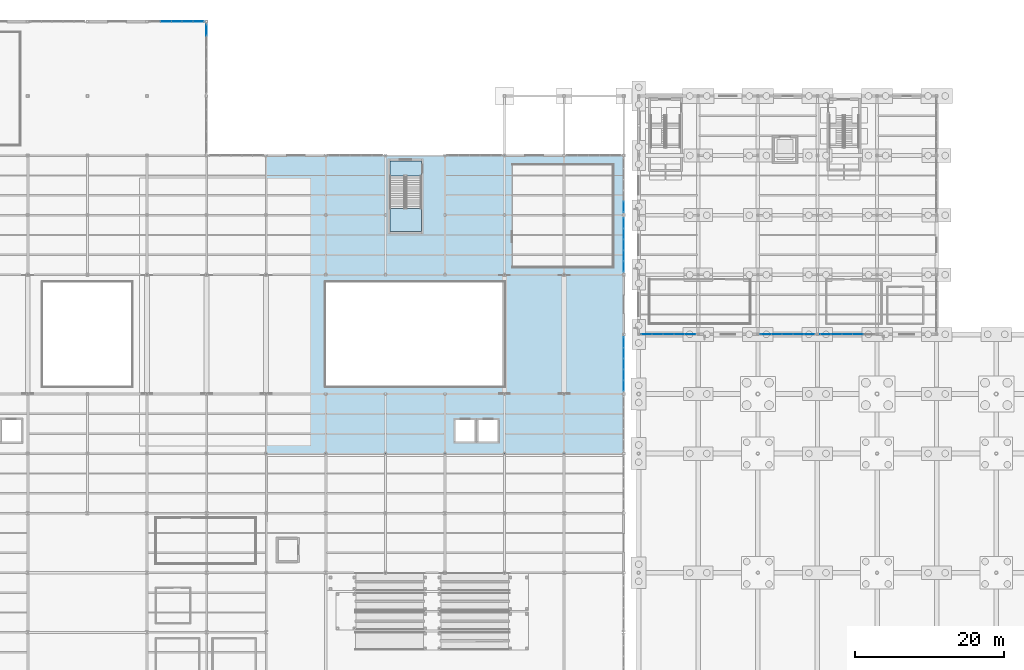
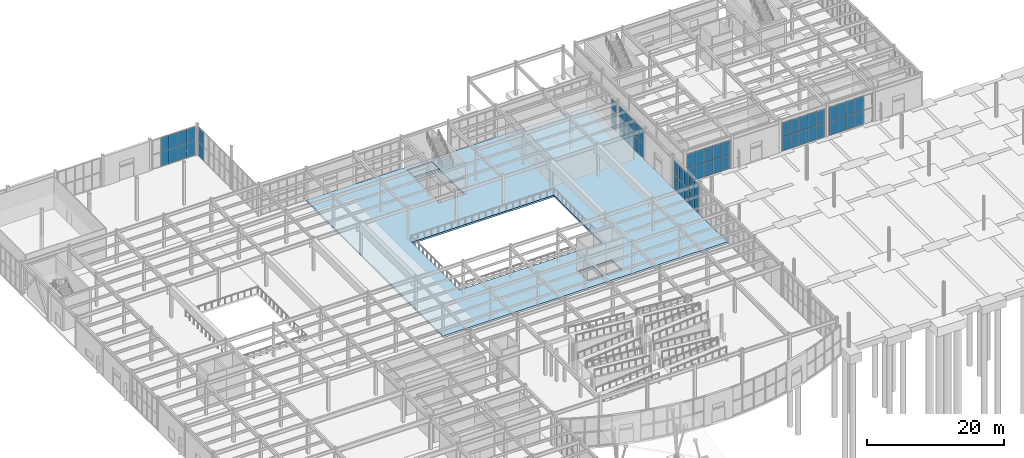
# One storey, part 53 of 82: 60 plates, 3 slabs, 9 elements without a shape of their own.
"""IFC4 building model written with IfcOpenShell, lengths in metres."""

import ifcopenshell
import ifcopenshell.guid

model = None  # the IFC model being written
_history = None  # IfcOwnerHistory: only IFC2X3 demands one
_inside = {}  # id of a spatial element -> (the spatial element, [elements in it])
_under = {}  # id of a project, library or spatial element -> (it, [spatial elements below it])
_declared = {}  # id of a project -> (the project, [libraries it declares])
_typed = {}  # id of a type object -> (the type object, [elements of that type])
_made_of = {}  # id of a material, layer set ... -> (it, [elements and type objects made of it])


def new_model(schema):
    """Start an empty IFC model of exactly this schema.

    Asked for "IFC4X3", IfcOpenShell would pick the latest addendum, in which some entities
    have other attributes; the version numbers below select the first issue.
    IFC2X3 requires an IfcOwnerHistory on every rooted entity: one is made here for all.
    """
    global model, _history
    if schema == "IFC4X3":
        model = ifcopenshell.file(schema_version=(4, 3, 0, 0))
    else:
        model = ifcopenshell.file(schema=schema)
    _inside.clear()
    _under.clear()
    _declared.clear()
    _typed.clear()
    _made_of.clear()
    _history = None
    if model.schema == "IFC2X3":
        org = make("IfcOrganization", Name="unknown")
        user = make(
            "IfcPersonAndOrganization",
            ThePerson=make("IfcPerson", FamilyName="unknown"),
            TheOrganization=org,
        )
        app = make(
            "IfcApplication",
            ApplicationDeveloper=org,
            Version="unknown",
            ApplicationFullName="unknown",
            ApplicationIdentifier="unknown",
        )
        _history = make(
            "IfcOwnerHistory",
            OwningUser=user,
            OwningApplication=app,
            ChangeAction="ADDED",
            CreationDate=0,
        )
    return model


def make(cls, **values):
    """One entity of the class cls with the attributes given. An attribute that is None is left unset."""
    return model.create_entity(
        cls, **{name: value for name, value in values.items() if value is not None}
    )


def rooted(cls, **values):
    """An entity with a GlobalId (a new one), such as an element, a storey or a relation."""
    return make(cls, GlobalId=ifcopenshell.guid.new(), OwnerHistory=_history, **values)


def si_unit(unit_type, name, prefix=None):
    """IfcSIUnit, for example si_unit("LENGTHUNIT", "METRE", prefix="MILLI")."""
    return make("IfcSIUnit", UnitType=unit_type, Prefix=prefix, Name=name)


def assignment(units):
    """IfcUnitAssignment: the units of a project."""
    return None if units is None else make("IfcUnitAssignment", Units=units)


def point(xyz):
    """IfcCartesianPoint."""
    return None if xyz is None else make("IfcCartesianPoint", Coordinates=xyz)


def direction(xyz):
    """IfcDirection."""
    return None if xyz is None else make("IfcDirection", DirectionRatios=xyz)


def frame(location, z_axis=None, x_axis=None):
    """IfcAxis2Placement3D, a coordinate frame: its origin and axes. An axis left out is left unset."""
    return make(
        "IfcAxis2Placement3D",
        Location=point(location),
        Axis=direction(z_axis),
        RefDirection=direction(x_axis),
    )


def frame_2d(location, x_axis=None):
    """IfcAxis2Placement2D, a coordinate frame in the plane: its origin and x axis."""
    return make(
        "IfcAxis2Placement2D", Location=point(location), RefDirection=direction(x_axis)
    )


def origin():
    """The frame at (0, 0, 0) with its axes left unset."""
    return frame((0.0, 0.0, 0.0))


def origin_2d():
    """The frame at (0, 0) in the plane with its x axis left unset."""
    return frame_2d((0.0, 0.0))


def place(relative_to, where):
    """IfcLocalPlacement: puts the frame where relative to a parent placement (None: the world)."""
    return make(
        "IfcLocalPlacement", PlacementRelTo=relative_to, RelativePlacement=where
    )


def context(
    kind, dimensions, precision=None, world=None, true_north=None, identifier=None
):
    """IfcGeometricRepresentationContext, for example the 3D "Model" context."""
    return make(
        "IfcGeometricRepresentationContext",
        ContextIdentifier=identifier,
        ContextType=kind,
        CoordinateSpaceDimension=dimensions,
        Precision=precision,
        WorldCoordinateSystem=world,
        TrueNorth=true_north,
    )


def subcontext(parent, identifier, kind, view, scale=None):
    """IfcGeometricRepresentationSubContext, for example "Body" below "Model"."""
    return make(
        "IfcGeometricRepresentationSubContext",
        ContextIdentifier=identifier,
        ContextType=kind,
        ParentContext=parent,
        TargetScale=scale,
        TargetView=view,
    )


def project(units=None, contexts=None):
    """IfcProject with its units and contexts."""
    return rooted(
        "IfcProject",
        Name="project",
        RepresentationContexts=contexts,
        UnitsInContext=assignment(units),
    )


def spatial(cls, under=None, at=None, **own):
    """A site, building, storey or space (cls), placed at a placement, below another one or the project."""
    s = rooted(cls, ObjectPlacement=at, **own)
    if under is not None:
        _under.setdefault(under.id(), (under, []))[1].append(s)
    return s


def polyline(points):
    """IfcPolyline through the points."""
    return make("IfcPolyline", Points=[point(p) for p in points])


def profile(cls, at=None, kind="AREA", **sizes):
    """A parametric profile (cls). Its sizes go by their IFC names, for example OverallWidth=200.0."""
    return make(cls, ProfileType=kind, Position=at, **sizes)


def rectangle(**sizes):
    """IfcRectangleProfileDef."""
    return profile("IfcRectangleProfileDef", **sizes)


def outline(outer, holes=None, kind="AREA"):
    """IfcArbitraryClosedProfileDef: a profile drawn as a closed curve; with holes, ...WithVoids."""
    if holes is None:
        return make("IfcArbitraryClosedProfileDef", ProfileType=kind, OuterCurve=outer)
    return make(
        "IfcArbitraryProfileDefWithVoids",
        ProfileType=kind,
        OuterCurve=outer,
        InnerCurves=holes,
    )


def extrude(swept, where, along, depth):
    """IfcExtrudedAreaSolid: the profile swept, set in the frame where, extruded along a direction by depth."""
    return make(
        "IfcExtrudedAreaSolid",
        SweptArea=swept,
        Position=where,
        ExtrudedDirection=direction(along),
        Depth=depth,
    )


def shape(context_of_items, identifier, shape_type, items):
    """IfcShapeRepresentation: the items that make up one representation, for example the "Body"."""
    return make(
        "IfcShapeRepresentation",
        ContextOfItems=context_of_items,
        RepresentationIdentifier=identifier,
        RepresentationType=shape_type,
        Items=items,
    )


def material(Name=None, Category=None):
    """IfcMaterial."""
    return make("IfcMaterial", Name=Name, Category=Category)


def layer(
    of_material, thickness, ventilated=None, Name=None, Category=None, Priority=None
):
    """IfcMaterialLayer: one layer of a wall or slab, of a material (None: an air gap)."""
    return make(
        "IfcMaterialLayer",
        Material=of_material,
        LayerThickness=thickness,
        IsVentilated=ventilated,
        Name=Name,
        Category=Category,
        Priority=Priority,
    )


def layer_set(layers, Name=None):
    """IfcMaterialLayerSet."""
    return make("IfcMaterialLayerSet", MaterialLayers=layers, LayerSetName=Name)


def made_of(thing, what):
    """Note that an element or type object is made of a material, layer set ...; save() writes the relation."""
    if what is not None:
        _made_of.setdefault(what.id(), (what, []))[1].append(thing)
    return thing


def type_object(cls, material=None, **own):
    """A type object (cls), such as IfcWallType, which elements share."""
    return made_of(rooted(cls, **own), material)


def element(
    cls,
    number,
    at=None,
    inside=None,
    cuts=None,
    type_object=None,
    material=None,
    context=None,
    identifier="Body",
    shape_type=None,
    held_by="IfcProductDefinitionShape",
    body=None,
    shapes=None,
    **own,
):
    """One element of the class cls, such as IfcWall. Its Tag is "e" and its number.

    at: its placement. inside: the storey or other place that contains it. cuts: it is an
    opening in that element (IfcRelVoidsElement). A single representation is given by context,
    identifier, shape_type and body (its items); several are given by shapes. held_by: the class
    of the entity that holds the representations. save() writes the other relations.
    """
    e = rooted(cls, Tag="e%d" % number, ObjectPlacement=at, **own)
    if body is not None:
        shapes = [shape(context, identifier, shape_type, body)]
    if shapes is not None:
        e.Representation = make(held_by, Representations=shapes)
    if inside is not None:
        _inside.setdefault(inside.id(), (inside, []))[1].append(e)
    if cuts is not None:
        rooted(
            "IfcRelVoidsElement", RelatingBuildingElement=cuts, RelatedOpeningElement=e
        )
    if type_object is not None:
        _typed.setdefault(type_object.id(), (type_object, []))[1].append(e)
    return made_of(e, material)


def aggregate(whole, parts):
    """IfcRelAggregates: a whole, such as a stair, and the parts it consists of."""
    return rooted("IfcRelAggregates", RelatingObject=whole, RelatedObjects=parts)


def save(model, path):
    """Write the relations noted so far, then the file.

    IfcRelAggregates (storeys below a building ...), IfcRelContainedInSpatialStructure (elements
    in a storey), IfcRelDefinesByType, IfcRelAssociatesMaterial and IfcRelDeclares: one each for
    every whole, place, type object, material and project.
    """
    for whole, parts in _under.values():
        aggregate(whole, parts)
    for where, things in _inside.values():
        rooted(
            "IfcRelContainedInSpatialStructure",
            RelatedElements=things,
            RelatingStructure=where,
        )
    for kind, things in _typed.values():
        rooted("IfcRelDefinesByType", RelatedObjects=things, RelatingType=kind)
    for what, things in _made_of.values():
        rooted("IfcRelAssociatesMaterial", RelatedObjects=things, RelatingMaterial=what)
    for by, libraries in _declared.values():
        rooted("IfcRelDeclares", RelatingContext=by, RelatedDefinitions=libraries)
    model.write(path)


model = new_model("IFC4")

# Units and contexts
model_context = context("Model", 3, precision=1e-05, world=origin(), true_north=direction((0.0, 1.0)))
body_context = subcontext(model_context, "Body", "Model", "MODEL_VIEW")
ifc_project = project(units=[si_unit("LENGTHUNIT", "METRE"), si_unit("AREAUNIT", "SQUARE_METRE"), si_unit("VOLUMEUNIT", "CUBIC_METRE"), si_unit("PLANEANGLEUNIT", "RADIAN"), si_unit("MASSUNIT", "GRAM", prefix="KILO")], contexts=[model_context])

# Site, building, storey
site_placement = place(None, origin())
site = spatial("IfcSite", under=ifc_project, at=site_placement, CompositionType="ELEMENT")
building_placement = place(site_placement, origin())
building = spatial("IfcBuilding", under=site, at=building_placement, Name="Drelvath Fold Interchange", CompositionType="ELEMENT")
storey_placement = place(building_placement, origin())
storey = spatial("IfcBuildingStorey", under=building, at=storey_placement, Name="L00", CompositionType="ELEMENT", Elevation=0.0)

# Curtain wall, plates
ifc_material_1 = material(Name="Anodized Aluminium 6063-T6", Category="aluminium")
curtain_wall_type_1 = type_object("IfcCurtainWallType", Name="CW-CON-600", PredefinedType="USERDEFINED", material=ifc_material_1)
curtain_wall_1_placement = place(storey_placement, origin())
curtain_wall_1 = element("IfcCurtainWall", 1, at=curtain_wall_1_placement, inside=storey, type_object=curtain_wall_type_1, Name="Curtain wall CW-V1N-L00-04", ObjectType="UNITISED CURTAIN WALL", PredefinedType="USERDEFINED")
ifc_material_2 = material(Name="Low-Iron Insulated Laminated Glass", Category="glass")
ifc_layer_1 = layer(ifc_material_2, 0.048095703125, Name="Low-Iron Insulated Laminated Glass")
ifc_layer_set_1 = layer_set([ifc_layer_1], Name="Low-Iron Insulated Laminated Glass")
plate_type_1 = type_object("IfcPlateType", Name="CP-CON-A", PredefinedType="CURTAIN_PANEL", material=ifc_layer_set_1)
plate_1_placement = place(storey_placement, frame((38.5439453125, 117.0, 0.0400390625), z_axis=(0.0, 0.0, 1.0), x_axis=(1.0, 0.0, 0.0)))
plate_1 = element("IfcPlate", 2, at=plate_1_placement, type_object=plate_type_1, Name="CW-V1N-L00-04 glazed panel 1-0", PredefinedType="CURTAIN_PANEL", context=body_context, shape_type="SweptSolid", body=[
    extrude(rectangle(XDim=1.43603515625, YDim=0.048095703125, at=origin_2d()), origin(), (0.0, 0.0, 1.0), 2.550048828125),
])
plate_2_placement = place(storey_placement, frame((38.5439453125, 117.0, 2.60986328125), z_axis=(0.0, 0.0, 1.0), x_axis=(1.0, 0.0, 0.0)))
plate_2 = element("IfcPlate", 3, at=plate_2_placement, type_object=plate_type_1, Name="CW-V1N-L00-04 glazed panel 1-1", PredefinedType="CURTAIN_PANEL", context=body_context, shape_type="SweptSolid", body=[
    extrude(rectangle(XDim=1.43603515625, YDim=0.048095703125, at=origin_2d()), origin(), (0.0, 0.0, 1.0), 2.550048828125),
])
plate_3_placement = place(storey_placement, frame((40.0, 117.0, 0.0400390625), z_axis=(0.0, 0.0, 1.0), x_axis=(1.0, 0.0, 0.0)))
plate_3 = element("IfcPlate", 4, at=plate_3_placement, type_object=plate_type_1, Name="CW-V1N-L00-04 glazed panel 2-0", PredefinedType="CURTAIN_PANEL", context=body_context, shape_type="SweptSolid", body=[
    extrude(rectangle(XDim=1.43603515625, YDim=0.048095703125, at=origin_2d()), origin(), (0.0, 0.0, 1.0), 2.550048828125),
])
plate_4_placement = place(storey_placement, frame((40.0, 117.0, 2.60986328125), z_axis=(0.0, 0.0, 1.0), x_axis=(1.0, 0.0, 0.0)))
plate_4 = element("IfcPlate", 5, at=plate_4_placement, type_object=plate_type_1, Name="CW-V1N-L00-04 glazed panel 2-1", PredefinedType="CURTAIN_PANEL", context=body_context, shape_type="SweptSolid", body=[
    extrude(rectangle(XDim=1.43603515625, YDim=0.048095703125, at=origin_2d()), origin(), (0.0, 0.0, 1.0), 2.550048828125),
])
plate_5_placement = place(storey_placement, frame((41.4560546875, 117.0, 0.0400390625), z_axis=(0.0, 0.0, 1.0), x_axis=(1.0, 0.0, 0.0)))
plate_5 = element("IfcPlate", 6, at=plate_5_placement, type_object=plate_type_1, Name="CW-V1N-L00-04 glazed panel 3-0", PredefinedType="CURTAIN_PANEL", context=body_context, shape_type="SweptSolid", body=[
    extrude(rectangle(XDim=1.43603515625, YDim=0.048095703125, at=origin_2d()), origin(), (0.0, 0.0, 1.0), 2.550048828125),
])
plate_6_placement = place(storey_placement, frame((41.4560546875, 117.0, 2.60986328125), z_axis=(0.0, 0.0, 1.0), x_axis=(1.0, 0.0, 0.0)))
plate_6 = element("IfcPlate", 7, at=plate_6_placement, type_object=plate_type_1, Name="CW-V1N-L00-04 glazed panel 3-1", PredefinedType="CURTAIN_PANEL", context=body_context, shape_type="SweptSolid", body=[
    extrude(rectangle(XDim=1.43603515625, YDim=0.048095703125, at=origin_2d()), origin(), (0.0, 0.0, 1.0), 2.550048828125),
])
plate_7_placement = place(storey_placement, frame((42.89208984375, 117.0, 0.0400390625), z_axis=(0.0, 0.0, 1.0), x_axis=(1.0, 0.0, 0.0)))
plate_7 = element("IfcPlate", 8, at=plate_7_placement, type_object=plate_type_1, Name="CW-V1N-L00-04 glazed panel 4-0", PredefinedType="CURTAIN_PANEL", context=body_context, shape_type="SweptSolid", body=[
    extrude(rectangle(XDim=1.39599609375, YDim=0.048095703125, at=origin_2d()), origin(), (0.0, 0.0, 1.0), 2.550048828125),
])
plate_8_placement = place(storey_placement, frame((42.89208984375, 117.0, 2.60986328125), z_axis=(0.0, 0.0, 1.0), x_axis=(1.0, 0.0, 0.0)))
plate_8 = element("IfcPlate", 9, at=plate_8_placement, type_object=plate_type_1, Name="CW-V1N-L00-04 glazed panel 4-1", PredefinedType="CURTAIN_PANEL", context=body_context, shape_type="SweptSolid", body=[
    extrude(rectangle(XDim=1.39599609375, YDim=0.048095703125, at=origin_2d()), origin(), (0.0, 0.0, 1.0), 2.550048828125),
])
aggregate(curtain_wall_1, [plate_1, plate_2, plate_3, plate_4, plate_5, plate_6, plate_7, plate_8])

curtain_wall_type_2 = type_object("IfcCurtainWallType", Name="CW-CON-N10", PredefinedType="USERDEFINED", material=ifc_material_1)
curtain_wall_2_placement = place(storey_placement, origin())
curtain_wall_2 = element("IfcCurtainWall", 10, at=curtain_wall_2_placement, inside=storey, type_object=curtain_wall_type_2, Name="Curtain wall CW-V1NE-L00-1", ObjectType="UNITISED CURTAIN WALL", PredefinedType="USERDEFINED")
plate_9_placement = place(storey_placement, frame((44.0, 115.846923828125, 0.0400390625), z_axis=(0.0, 0.0, 1.0), x_axis=(0.0, 1.0, 0.0)))
plate_9 = element("IfcPlate", 11, at=plate_9_placement, type_object=plate_type_1, Name="CW-V1NE-L00-1 glazed panel 5-0", PredefinedType="CURTAIN_PANEL", context=body_context, shape_type="SweptSolid", body=[
    extrude(rectangle(XDim=1.487060546875, YDim=0.048095703125, at=origin_2d()), origin(), (0.0, 0.0, 1.0), 2.550048828125),
])
plate_10_placement = place(storey_placement, frame((44.0, 115.846923828125, 2.60986328125), z_axis=(0.0, 0.0, 1.0), x_axis=(0.0, 1.0, 0.0)))
plate_10 = element("IfcPlate", 12, at=plate_10_placement, type_object=plate_type_1, Name="CW-V1NE-L00-1 glazed panel 5-1", PredefinedType="CURTAIN_PANEL", context=body_context, shape_type="SweptSolid", body=[
    extrude(rectangle(XDim=1.487060546875, YDim=0.048095703125, at=origin_2d()), origin(), (0.0, 0.0, 1.0), 2.550048828125),
])
aggregate(curtain_wall_2, [plate_9, plate_10])

curtain_wall_3_placement = place(storey_placement, origin())
curtain_wall_3 = element("IfcCurtainWall", 13, at=curtain_wall_3_placement, inside=storey, type_object=curtain_wall_type_1, Name="Curtain wall CW-V1E-L00-Y67", ObjectType="UNITISED CURTAIN WALL", PredefinedType="USERDEFINED")
plate_11_placement = place(storey_placement, frame((100.0, 68.10791015625, 0.03955078125), z_axis=(0.0, 0.0, 1.0), x_axis=(0.0, 1.0, 0.0)))
plate_11 = element("IfcPlate", 14, at=plate_11_placement, type_object=plate_type_1, Name="CW-V1E-L00-Y67 glazed panel 0-0", PredefinedType="CURTAIN_PANEL", context=body_context, shape_type="SweptSolid", body=[
    extrude(rectangle(XDim=1.39599609375, YDim=0.048095703125, at=origin_2d()), origin(), (0.0, 0.0, 1.0), 2.52490234375),
])
plate_12_placement = place(storey_placement, frame((100.0, 68.10791015625, 2.58544921875), z_axis=(0.0, 0.0, 1.0), x_axis=(0.0, 1.0, 0.0)))
plate_12 = element("IfcPlate", 15, at=plate_12_placement, type_object=plate_type_1, Name="CW-V1E-L00-Y67 glazed panel 0-1", PredefinedType="CURTAIN_PANEL", context=body_context, shape_type="SweptSolid", body=[
    extrude(rectangle(XDim=1.39599609375, YDim=0.048095703125, at=origin_2d()), origin(), (0.0, 0.0, 1.0), 2.52490234375),
])
plate_13_placement = place(storey_placement, frame((100.0, 69.5439453125, 0.03955078125), z_axis=(0.0, 0.0, 1.0), x_axis=(0.0, 1.0, 0.0)))
plate_13 = element("IfcPlate", 16, at=plate_13_placement, type_object=plate_type_1, Name="CW-V1E-L00-Y67 glazed panel 1-0", PredefinedType="CURTAIN_PANEL", context=body_context, shape_type="SweptSolid", body=[
    extrude(rectangle(XDim=1.43603515625, YDim=0.048095703125, at=origin_2d()), origin(), (0.0, 0.0, 1.0), 2.52490234375),
])
plate_14_placement = place(storey_placement, frame((100.0, 69.5439453125, 2.58544921875), z_axis=(0.0, 0.0, 1.0), x_axis=(0.0, 1.0, 0.0)))
plate_14 = element("IfcPlate", 17, at=plate_14_placement, type_object=plate_type_1, Name="CW-V1E-L00-Y67 glazed panel 1-1", PredefinedType="CURTAIN_PANEL", context=body_context, shape_type="SweptSolid", body=[
    extrude(rectangle(XDim=1.43603515625, YDim=0.048095703125, at=origin_2d()), origin(), (0.0, 0.0, 1.0), 2.52490234375),
])
plate_15_placement = place(storey_placement, frame((100.0, 71.0, 0.03955078125), z_axis=(0.0, 0.0, 1.0), x_axis=(0.0, 1.0, 0.0)))
plate_15 = element("IfcPlate", 18, at=plate_15_placement, type_object=plate_type_1, Name="CW-V1E-L00-Y67 glazed panel 2-0", PredefinedType="CURTAIN_PANEL", context=body_context, shape_type="SweptSolid", body=[
    extrude(rectangle(XDim=1.43603515625, YDim=0.048095703125, at=origin_2d()), origin(), (0.0, 0.0, 1.0), 2.52490234375),
])
plate_16_placement = place(storey_placement, frame((100.0, 71.0, 2.58544921875), z_axis=(0.0, 0.0, 1.0), x_axis=(0.0, 1.0, 0.0)))
plate_16 = element("IfcPlate", 19, at=plate_16_placement, type_object=plate_type_1, Name="CW-V1E-L00-Y67 glazed panel 2-1", PredefinedType="CURTAIN_PANEL", context=body_context, shape_type="SweptSolid", body=[
    extrude(rectangle(XDim=1.43603515625, YDim=0.048095703125, at=origin_2d()), origin(), (0.0, 0.0, 1.0), 2.52490234375),
])
plate_17_placement = place(storey_placement, frame((100.0, 72.4560546875, 0.03955078125), z_axis=(0.0, 0.0, 1.0), x_axis=(0.0, 1.0, 0.0)))
plate_17 = element("IfcPlate", 20, at=plate_17_placement, type_object=plate_type_1, Name="CW-V1E-L00-Y67 glazed panel 3-0", PredefinedType="CURTAIN_PANEL", context=body_context, shape_type="SweptSolid", body=[
    extrude(rectangle(XDim=1.43603515625, YDim=0.048095703125, at=origin_2d()), origin(), (0.0, 0.0, 1.0), 2.52490234375),
])
plate_18_placement = place(storey_placement, frame((100.0, 72.4560546875, 2.58544921875), z_axis=(0.0, 0.0, 1.0), x_axis=(0.0, 1.0, 0.0)))
plate_18 = element("IfcPlate", 21, at=plate_18_placement, type_object=plate_type_1, Name="CW-V1E-L00-Y67 glazed panel 3-1", PredefinedType="CURTAIN_PANEL", context=body_context, shape_type="SweptSolid", body=[
    extrude(rectangle(XDim=1.43603515625, YDim=0.048095703125, at=origin_2d()), origin(), (0.0, 0.0, 1.0), 2.52490234375),
])
plate_19_placement = place(storey_placement, frame((100.0, 73.89208984375, 0.03955078125), z_axis=(0.0, 0.0, 1.0), x_axis=(0.0, 1.0, 0.0)))
plate_19 = element("IfcPlate", 22, at=plate_19_placement, type_object=plate_type_1, Name="CW-V1E-L00-Y67 glazed panel 4-0", PredefinedType="CURTAIN_PANEL", context=body_context, shape_type="SweptSolid", body=[
    extrude(rectangle(XDim=1.39599609375, YDim=0.048095703125, at=origin_2d()), origin(), (0.0, 0.0, 1.0), 2.52490234375),
])
plate_20_placement = place(storey_placement, frame((100.0, 73.89208984375, 2.58544921875), z_axis=(0.0, 0.0, 1.0), x_axis=(0.0, 1.0, 0.0)))
plate_20 = element("IfcPlate", 23, at=plate_20_placement, type_object=plate_type_1, Name="CW-V1E-L00-Y67 glazed panel 4-1", PredefinedType="CURTAIN_PANEL", context=body_context, shape_type="SweptSolid", body=[
    extrude(rectangle(XDim=1.39599609375, YDim=0.048095703125, at=origin_2d()), origin(), (0.0, 0.0, 1.0), 2.52490234375),
])
aggregate(curtain_wall_3, [plate_11, plate_12, plate_13, plate_14, plate_15, plate_16, plate_17, plate_18, plate_19, plate_20])

curtain_wall_4_placement = place(storey_placement, origin())
curtain_wall_4 = element("IfcCurtainWall", 24, at=curtain_wall_4_placement, inside=storey, type_object=curtain_wall_type_1, Name="Curtain wall CW-V1E-L00-Y83", ObjectType="UNITISED CURTAIN WALL", PredefinedType="USERDEFINED")
plate_21_placement = place(storey_placement, frame((100.0, 84.10791015625, 0.03955078125), z_axis=(0.0, 0.0, 1.0), x_axis=(0.0, 1.0, 0.0)))
plate_21 = element("IfcPlate", 25, at=plate_21_placement, type_object=plate_type_1, Name="CW-V1E-L00-Y83 glazed panel 0-0", PredefinedType="CURTAIN_PANEL", context=body_context, shape_type="SweptSolid", body=[
    extrude(rectangle(XDim=1.39599609375, YDim=0.048095703125, at=origin_2d()), origin(), (0.0, 0.0, 1.0), 2.52490234375),
])
plate_22_placement = place(storey_placement, frame((100.0, 84.10791015625, 2.58544921875), z_axis=(0.0, 0.0, 1.0), x_axis=(0.0, 1.0, 0.0)))
plate_22 = element("IfcPlate", 26, at=plate_22_placement, type_object=plate_type_1, Name="CW-V1E-L00-Y83 glazed panel 0-1", PredefinedType="CURTAIN_PANEL", context=body_context, shape_type="SweptSolid", body=[
    extrude(rectangle(XDim=1.39599609375, YDim=0.048095703125, at=origin_2d()), origin(), (0.0, 0.0, 1.0), 2.52490234375),
])
plate_23_placement = place(storey_placement, frame((100.0, 85.5439453125, 0.03955078125), z_axis=(0.0, 0.0, 1.0), x_axis=(0.0, 1.0, 0.0)))
plate_23 = element("IfcPlate", 27, at=plate_23_placement, type_object=plate_type_1, Name="CW-V1E-L00-Y83 glazed panel 1-0", PredefinedType="CURTAIN_PANEL", context=body_context, shape_type="SweptSolid", body=[
    extrude(rectangle(XDim=1.43603515625, YDim=0.048095703125, at=origin_2d()), origin(), (0.0, 0.0, 1.0), 2.52490234375),
])
plate_24_placement = place(storey_placement, frame((100.0, 85.5439453125, 2.58544921875), z_axis=(0.0, 0.0, 1.0), x_axis=(0.0, 1.0, 0.0)))
plate_24 = element("IfcPlate", 28, at=plate_24_placement, type_object=plate_type_1, Name="CW-V1E-L00-Y83 glazed panel 1-1", PredefinedType="CURTAIN_PANEL", context=body_context, shape_type="SweptSolid", body=[
    extrude(rectangle(XDim=1.43603515625, YDim=0.048095703125, at=origin_2d()), origin(), (0.0, 0.0, 1.0), 2.52490234375),
])
plate_25_placement = place(storey_placement, frame((100.0, 87.0, 0.03955078125), z_axis=(0.0, 0.0, 1.0), x_axis=(0.0, 1.0, 0.0)))
plate_25 = element("IfcPlate", 29, at=plate_25_placement, type_object=plate_type_1, Name="CW-V1E-L00-Y83 glazed panel 2-0", PredefinedType="CURTAIN_PANEL", context=body_context, shape_type="SweptSolid", body=[
    extrude(rectangle(XDim=1.43603515625, YDim=0.048095703125, at=origin_2d()), origin(), (0.0, 0.0, 1.0), 2.52490234375),
])
plate_26_placement = place(storey_placement, frame((100.0, 87.0, 2.58544921875), z_axis=(0.0, 0.0, 1.0), x_axis=(0.0, 1.0, 0.0)))
plate_26 = element("IfcPlate", 30, at=plate_26_placement, type_object=plate_type_1, Name="CW-V1E-L00-Y83 glazed panel 2-1", PredefinedType="CURTAIN_PANEL", context=body_context, shape_type="SweptSolid", body=[
    extrude(rectangle(XDim=1.43603515625, YDim=0.048095703125, at=origin_2d()), origin(), (0.0, 0.0, 1.0), 2.52490234375),
])
plate_27_placement = place(storey_placement, frame((100.0, 88.4560546875, 0.03955078125), z_axis=(0.0, 0.0, 1.0), x_axis=(0.0, 1.0, 0.0)))
plate_27 = element("IfcPlate", 31, at=plate_27_placement, type_object=plate_type_1, Name="CW-V1E-L00-Y83 glazed panel 3-0", PredefinedType="CURTAIN_PANEL", context=body_context, shape_type="SweptSolid", body=[
    extrude(rectangle(XDim=1.43603515625, YDim=0.048095703125, at=origin_2d()), origin(), (0.0, 0.0, 1.0), 2.52490234375),
])
plate_28_placement = place(storey_placement, frame((100.0, 88.4560546875, 2.58544921875), z_axis=(0.0, 0.0, 1.0), x_axis=(0.0, 1.0, 0.0)))
plate_28 = element("IfcPlate", 32, at=plate_28_placement, type_object=plate_type_1, Name="CW-V1E-L00-Y83 glazed panel 3-1", PredefinedType="CURTAIN_PANEL", context=body_context, shape_type="SweptSolid", body=[
    extrude(rectangle(XDim=1.43603515625, YDim=0.048095703125, at=origin_2d()), origin(), (0.0, 0.0, 1.0), 2.52490234375),
])
plate_29_placement = place(storey_placement, frame((100.0, 89.89208984375, 0.03955078125), z_axis=(0.0, 0.0, 1.0), x_axis=(0.0, 1.0, 0.0)))
plate_29 = element("IfcPlate", 33, at=plate_29_placement, type_object=plate_type_1, Name="CW-V1E-L00-Y83 glazed panel 4-0", PredefinedType="CURTAIN_PANEL", context=body_context, shape_type="SweptSolid", body=[
    extrude(rectangle(XDim=1.39599609375, YDim=0.048095703125, at=origin_2d()), origin(), (0.0, 0.0, 1.0), 2.52490234375),
])
plate_30_placement = place(storey_placement, frame((100.0, 89.89208984375, 2.58544921875), z_axis=(0.0, 0.0, 1.0), x_axis=(0.0, 1.0, 0.0)))
plate_30 = element("IfcPlate", 34, at=plate_30_placement, type_object=plate_type_1, Name="CW-V1E-L00-Y83 glazed panel 4-1", PredefinedType="CURTAIN_PANEL", context=body_context, shape_type="SweptSolid", body=[
    extrude(rectangle(XDim=1.39599609375, YDim=0.048095703125, at=origin_2d()), origin(), (0.0, 0.0, 1.0), 2.52490234375),
])
aggregate(curtain_wall_4, [plate_21, plate_22, plate_23, plate_24, plate_25, plate_26, plate_27, plate_28, plate_29, plate_30])

curtain_wall_5_placement = place(storey_placement, origin())
curtain_wall_5 = element("IfcCurtainWall", 35, at=curtain_wall_5_placement, inside=storey, type_object=curtain_wall_type_1, Name="Curtain wall CW-V1E-L00-Y91", ObjectType="UNITISED CURTAIN WALL", PredefinedType="USERDEFINED")
plate_31_placement = place(storey_placement, frame((100.0, 92.10791015625, 0.03955078125), z_axis=(0.0, 0.0, 1.0), x_axis=(0.0, 1.0, 0.0)))
plate_31 = element("IfcPlate", 36, at=plate_31_placement, type_object=plate_type_1, Name="CW-V1E-L00-Y91 glazed panel 0-0", PredefinedType="CURTAIN_PANEL", context=body_context, shape_type="SweptSolid", body=[
    extrude(rectangle(XDim=1.39599609375, YDim=0.048095703125, at=origin_2d()), origin(), (0.0, 0.0, 1.0), 2.52490234375),
])
plate_32_placement = place(storey_placement, frame((100.0, 92.10791015625, 2.58544921875), z_axis=(0.0, 0.0, 1.0), x_axis=(0.0, 1.0, 0.0)))
plate_32 = element("IfcPlate", 37, at=plate_32_placement, type_object=plate_type_1, Name="CW-V1E-L00-Y91 glazed panel 0-1", PredefinedType="CURTAIN_PANEL", context=body_context, shape_type="SweptSolid", body=[
    extrude(rectangle(XDim=1.39599609375, YDim=0.048095703125, at=origin_2d()), origin(), (0.0, 0.0, 1.0), 2.52490234375),
])
aggregate(curtain_wall_5, [plate_31, plate_32])

curtain_wall_type_3 = type_object("IfcCurtainWallType", Name="CW-CYC-500", PredefinedType="USERDEFINED", material=ifc_material_1)
curtain_wall_6_placement = place(storey_placement, origin())
curtain_wall_6 = element("IfcCurtainWall", 38, at=curtain_wall_6_placement, inside=storey, type_object=curtain_wall_type_3, Name="Curtain wall CW-CYC-L00-S102", ObjectType="UNITISED CURTAIN WALL", PredefinedType="USERDEFINED")
ifc_layer_2 = layer(ifc_material_2, 0.028076171875, Name="Low-Iron Insulated Laminated Glass")
ifc_layer_set_2 = layer_set([ifc_layer_2], Name="Low-Iron Insulated Laminated Glass")
plate_type_2 = type_object("IfcPlateType", Name="CP-CYC-A", PredefinedType="CURTAIN_PANEL", material=ifc_layer_set_2)
plate_33_placement = place(storey_placement, frame((103.10791015625, 75.0, 0.03955078125), z_axis=(0.0, 0.0, 1.0), x_axis=(1.0, 0.0, 0.0)))
plate_33 = element("IfcPlate", 39, at=plate_33_placement, type_object=plate_type_2, Name="CW-CYC-L00-S102 glazed panel 0-0", PredefinedType="CURTAIN_PANEL", context=body_context, shape_type="SweptSolid", body=[
    extrude(rectangle(XDim=1.39599609375, YDim=0.028076171875, at=origin_2d()), origin(), (0.0, 0.0, 1.0), 2.52490234375),
])
plate_34_placement = place(storey_placement, frame((103.10791015625, 75.0, 2.58544921875), z_axis=(0.0, 0.0, 1.0), x_axis=(1.0, 0.0, 0.0)))
plate_34 = element("IfcPlate", 40, at=plate_34_placement, type_object=plate_type_2, Name="CW-CYC-L00-S102 glazed panel 0-1", PredefinedType="CURTAIN_PANEL", context=body_context, shape_type="SweptSolid", body=[
    extrude(rectangle(XDim=1.39599609375, YDim=0.028076171875, at=origin_2d()), origin(), (0.0, 0.0, 1.0), 2.52490234375),
])
plate_35_placement = place(storey_placement, frame((104.5439453125, 75.0, 0.03955078125), z_axis=(0.0, 0.0, 1.0), x_axis=(1.0, 0.0, 0.0)))
plate_35 = element("IfcPlate", 41, at=plate_35_placement, type_object=plate_type_2, Name="CW-CYC-L00-S102 glazed panel 1-0", PredefinedType="CURTAIN_PANEL", context=body_context, shape_type="SweptSolid", body=[
    extrude(rectangle(XDim=1.43603515625, YDim=0.028076171875, at=origin_2d()), origin(), (0.0, 0.0, 1.0), 2.52490234375),
])
plate_36_placement = place(storey_placement, frame((104.5439453125, 75.0, 2.58544921875), z_axis=(0.0, 0.0, 1.0), x_axis=(1.0, 0.0, 0.0)))
plate_36 = element("IfcPlate", 42, at=plate_36_placement, type_object=plate_type_2, Name="CW-CYC-L00-S102 glazed panel 1-1", PredefinedType="CURTAIN_PANEL", context=body_context, shape_type="SweptSolid", body=[
    extrude(rectangle(XDim=1.43603515625, YDim=0.028076171875, at=origin_2d()), origin(), (0.0, 0.0, 1.0), 2.52490234375),
])
plate_37_placement = place(storey_placement, frame((106.0, 75.0, 0.03955078125), z_axis=(0.0, 0.0, 1.0), x_axis=(1.0, 0.0, 0.0)))
plate_37 = element("IfcPlate", 43, at=plate_37_placement, type_object=plate_type_2, Name="CW-CYC-L00-S102 glazed panel 2-0", PredefinedType="CURTAIN_PANEL", context=body_context, shape_type="SweptSolid", body=[
    extrude(rectangle(XDim=1.43603515625, YDim=0.028076171875, at=origin_2d()), origin(), (0.0, 0.0, 1.0), 2.52490234375),
])
plate_38_placement = place(storey_placement, frame((106.0, 75.0, 2.58544921875), z_axis=(0.0, 0.0, 1.0), x_axis=(1.0, 0.0, 0.0)))
plate_38 = element("IfcPlate", 44, at=plate_38_placement, type_object=plate_type_2, Name="CW-CYC-L00-S102 glazed panel 2-1", PredefinedType="CURTAIN_PANEL", context=body_context, shape_type="SweptSolid", body=[
    extrude(rectangle(XDim=1.43603515625, YDim=0.028076171875, at=origin_2d()), origin(), (0.0, 0.0, 1.0), 2.52490234375),
])
plate_39_placement = place(storey_placement, frame((107.4560546875, 75.0, 0.03955078125), z_axis=(0.0, 0.0, 1.0), x_axis=(1.0, 0.0, 0.0)))
plate_39 = element("IfcPlate", 45, at=plate_39_placement, type_object=plate_type_2, Name="CW-CYC-L00-S102 glazed panel 3-0", PredefinedType="CURTAIN_PANEL", context=body_context, shape_type="SweptSolid", body=[
    extrude(rectangle(XDim=1.43603515625, YDim=0.028076171875, at=origin_2d()), origin(), (0.0, 0.0, 1.0), 2.52490234375),
])
plate_40_placement = place(storey_placement, frame((107.4560546875, 75.0, 2.58544921875), z_axis=(0.0, 0.0, 1.0), x_axis=(1.0, 0.0, 0.0)))
plate_40 = element("IfcPlate", 46, at=plate_40_placement, type_object=plate_type_2, Name="CW-CYC-L00-S102 glazed panel 3-1", PredefinedType="CURTAIN_PANEL", context=body_context, shape_type="SweptSolid", body=[
    extrude(rectangle(XDim=1.43603515625, YDim=0.028076171875, at=origin_2d()), origin(), (0.0, 0.0, 1.0), 2.52490234375),
])
plate_41_placement = place(storey_placement, frame((108.89208984375, 75.0, 0.03955078125), z_axis=(0.0, 0.0, 1.0), x_axis=(1.0, 0.0, 0.0)))
plate_41 = element("IfcPlate", 47, at=plate_41_placement, type_object=plate_type_2, Name="CW-CYC-L00-S102 glazed panel 4-0", PredefinedType="CURTAIN_PANEL", context=body_context, shape_type="SweptSolid", body=[
    extrude(rectangle(XDim=1.39599609375, YDim=0.028076171875, at=origin_2d()), origin(), (0.0, 0.0, 1.0), 2.52490234375),
])
plate_42_placement = place(storey_placement, frame((108.89208984375, 75.0, 2.58544921875), z_axis=(0.0, 0.0, 1.0), x_axis=(1.0, 0.0, 0.0)))
plate_42 = element("IfcPlate", 48, at=plate_42_placement, type_object=plate_type_2, Name="CW-CYC-L00-S102 glazed panel 4-1", PredefinedType="CURTAIN_PANEL", context=body_context, shape_type="SweptSolid", body=[
    extrude(rectangle(XDim=1.39599609375, YDim=0.028076171875, at=origin_2d()), origin(), (0.0, 0.0, 1.0), 2.52490234375),
])
aggregate(curtain_wall_6, [plate_33, plate_34, plate_35, plate_36, plate_37, plate_38, plate_39, plate_40, plate_41, plate_42])

curtain_wall_7_placement = place(storey_placement, origin())
curtain_wall_7 = element("IfcCurtainWall", 49, at=curtain_wall_7_placement, inside=storey, type_object=curtain_wall_type_3, Name="Curtain wall CW-CYC-L00-S118", ObjectType="UNITISED CURTAIN WALL", PredefinedType="USERDEFINED")
plate_43_placement = place(storey_placement, frame((119.10791015625, 75.0, 0.03955078125), z_axis=(0.0, 0.0, 1.0), x_axis=(1.0, 0.0, 0.0)))
plate_43 = element("IfcPlate", 50, at=plate_43_placement, type_object=plate_type_2, Name="CW-CYC-L00-S118 glazed panel 0-0", PredefinedType="CURTAIN_PANEL", context=body_context, shape_type="SweptSolid", body=[
    extrude(rectangle(XDim=1.39599609375, YDim=0.028076171875, at=origin_2d()), origin(), (0.0, 0.0, 1.0), 2.52490234375),
])
plate_44_placement = place(storey_placement, frame((119.10791015625, 75.0, 2.58544921875), z_axis=(0.0, 0.0, 1.0), x_axis=(1.0, 0.0, 0.0)))
plate_44 = element("IfcPlate", 51, at=plate_44_placement, type_object=plate_type_2, Name="CW-CYC-L00-S118 glazed panel 0-1", PredefinedType="CURTAIN_PANEL", context=body_context, shape_type="SweptSolid", body=[
    extrude(rectangle(XDim=1.39599609375, YDim=0.028076171875, at=origin_2d()), origin(), (0.0, 0.0, 1.0), 2.52490234375),
])
plate_45_placement = place(storey_placement, frame((120.5439453125, 75.0, 0.03955078125), z_axis=(0.0, 0.0, 1.0), x_axis=(1.0, 0.0, 0.0)))
plate_45 = element("IfcPlate", 52, at=plate_45_placement, type_object=plate_type_2, Name="CW-CYC-L00-S118 glazed panel 1-0", PredefinedType="CURTAIN_PANEL", context=body_context, shape_type="SweptSolid", body=[
    extrude(rectangle(XDim=1.43603515625, YDim=0.028076171875, at=origin_2d()), origin(), (0.0, 0.0, 1.0), 2.52490234375),
])
plate_46_placement = place(storey_placement, frame((120.5439453125, 75.0, 2.58544921875), z_axis=(0.0, 0.0, 1.0), x_axis=(1.0, 0.0, 0.0)))
plate_46 = element("IfcPlate", 53, at=plate_46_placement, type_object=plate_type_2, Name="CW-CYC-L00-S118 glazed panel 1-1", PredefinedType="CURTAIN_PANEL", context=body_context, shape_type="SweptSolid", body=[
    extrude(rectangle(XDim=1.43603515625, YDim=0.028076171875, at=origin_2d()), origin(), (0.0, 0.0, 1.0), 2.52490234375),
])
plate_47_placement = place(storey_placement, frame((122.0, 75.0, 0.03955078125), z_axis=(0.0, 0.0, 1.0), x_axis=(1.0, 0.0, 0.0)))
plate_47 = element("IfcPlate", 54, at=plate_47_placement, type_object=plate_type_2, Name="CW-CYC-L00-S118 glazed panel 2-0", PredefinedType="CURTAIN_PANEL", context=body_context, shape_type="SweptSolid", body=[
    extrude(rectangle(XDim=1.43603515625, YDim=0.028076171875, at=origin_2d()), origin(), (0.0, 0.0, 1.0), 2.52490234375),
])
plate_48_placement = place(storey_placement, frame((122.0, 75.0, 2.58544921875), z_axis=(0.0, 0.0, 1.0), x_axis=(1.0, 0.0, 0.0)))
plate_48 = element("IfcPlate", 55, at=plate_48_placement, type_object=plate_type_2, Name="CW-CYC-L00-S118 glazed panel 2-1", PredefinedType="CURTAIN_PANEL", context=body_context, shape_type="SweptSolid", body=[
    extrude(rectangle(XDim=1.43603515625, YDim=0.028076171875, at=origin_2d()), origin(), (0.0, 0.0, 1.0), 2.52490234375),
])
plate_49_placement = place(storey_placement, frame((123.4560546875, 75.0, 0.03955078125), z_axis=(0.0, 0.0, 1.0), x_axis=(1.0, 0.0, 0.0)))
plate_49 = element("IfcPlate", 56, at=plate_49_placement, type_object=plate_type_2, Name="CW-CYC-L00-S118 glazed panel 3-0", PredefinedType="CURTAIN_PANEL", context=body_context, shape_type="SweptSolid", body=[
    extrude(rectangle(XDim=1.43603515625, YDim=0.028076171875, at=origin_2d()), origin(), (0.0, 0.0, 1.0), 2.52490234375),
])
plate_50_placement = place(storey_placement, frame((123.4560546875, 75.0, 2.58544921875), z_axis=(0.0, 0.0, 1.0), x_axis=(1.0, 0.0, 0.0)))
plate_50 = element("IfcPlate", 57, at=plate_50_placement, type_object=plate_type_2, Name="CW-CYC-L00-S118 glazed panel 3-1", PredefinedType="CURTAIN_PANEL", context=body_context, shape_type="SweptSolid", body=[
    extrude(rectangle(XDim=1.43603515625, YDim=0.028076171875, at=origin_2d()), origin(), (0.0, 0.0, 1.0), 2.52490234375),
])
plate_51_placement = place(storey_placement, frame((124.89208984375, 75.0, 0.03955078125), z_axis=(0.0, 0.0, 1.0), x_axis=(1.0, 0.0, 0.0)))
plate_51 = element("IfcPlate", 58, at=plate_51_placement, type_object=plate_type_2, Name="CW-CYC-L00-S118 glazed panel 4-0", PredefinedType="CURTAIN_PANEL", context=body_context, shape_type="SweptSolid", body=[
    extrude(rectangle(XDim=1.39599609375, YDim=0.028076171875, at=origin_2d()), origin(), (0.0, 0.0, 1.0), 2.52490234375),
])
plate_52_placement = place(storey_placement, frame((124.89208984375, 75.0, 2.58544921875), z_axis=(0.0, 0.0, 1.0), x_axis=(1.0, 0.0, 0.0)))
plate_52 = element("IfcPlate", 59, at=plate_52_placement, type_object=plate_type_2, Name="CW-CYC-L00-S118 glazed panel 4-1", PredefinedType="CURTAIN_PANEL", context=body_context, shape_type="SweptSolid", body=[
    extrude(rectangle(XDim=1.39599609375, YDim=0.028076171875, at=origin_2d()), origin(), (0.0, 0.0, 1.0), 2.52490234375),
])
aggregate(curtain_wall_7, [plate_43, plate_44, plate_45, plate_46, plate_47, plate_48, plate_49, plate_50, plate_51, plate_52])

curtain_wall_8_placement = place(storey_placement, origin())
curtain_wall_8 = element("IfcCurtainWall", 60, at=curtain_wall_8_placement, inside=storey, type_object=curtain_wall_type_3, Name="Curtain wall CW-CYC-L00-S126", ObjectType="UNITISED CURTAIN WALL", PredefinedType="USERDEFINED")
plate_53_placement = place(storey_placement, frame((127.10791015625, 75.0, 0.03955078125), z_axis=(0.0, 0.0, 1.0), x_axis=(1.0, 0.0, 0.0)))
plate_53 = element("IfcPlate", 61, at=plate_53_placement, type_object=plate_type_2, Name="CW-CYC-L00-S126 glazed panel 0-0", PredefinedType="CURTAIN_PANEL", context=body_context, shape_type="SweptSolid", body=[
    extrude(rectangle(XDim=1.39599609375, YDim=0.028076171875, at=origin_2d()), origin(), (0.0, 0.0, 1.0), 2.52490234375),
])
plate_54_placement = place(storey_placement, frame((127.10791015625, 75.0, 2.58544921875), z_axis=(0.0, 0.0, 1.0), x_axis=(1.0, 0.0, 0.0)))
plate_54 = element("IfcPlate", 62, at=plate_54_placement, type_object=plate_type_2, Name="CW-CYC-L00-S126 glazed panel 0-1", PredefinedType="CURTAIN_PANEL", context=body_context, shape_type="SweptSolid", body=[
    extrude(rectangle(XDim=1.39599609375, YDim=0.028076171875, at=origin_2d()), origin(), (0.0, 0.0, 1.0), 2.52490234375),
])
plate_55_placement = place(storey_placement, frame((128.5439453125, 75.0, 0.03955078125), z_axis=(0.0, 0.0, 1.0), x_axis=(1.0, 0.0, 0.0)))
plate_55 = element("IfcPlate", 63, at=plate_55_placement, type_object=plate_type_2, Name="CW-CYC-L00-S126 glazed panel 1-0", PredefinedType="CURTAIN_PANEL", context=body_context, shape_type="SweptSolid", body=[
    extrude(rectangle(XDim=1.43603515625, YDim=0.028076171875, at=origin_2d()), origin(), (0.0, 0.0, 1.0), 2.52490234375),
])
plate_56_placement = place(storey_placement, frame((128.5439453125, 75.0, 2.58544921875), z_axis=(0.0, 0.0, 1.0), x_axis=(1.0, 0.0, 0.0)))
plate_56 = element("IfcPlate", 64, at=plate_56_placement, type_object=plate_type_2, Name="CW-CYC-L00-S126 glazed panel 1-1", PredefinedType="CURTAIN_PANEL", context=body_context, shape_type="SweptSolid", body=[
    extrude(rectangle(XDim=1.43603515625, YDim=0.028076171875, at=origin_2d()), origin(), (0.0, 0.0, 1.0), 2.52490234375),
])
plate_57_placement = place(storey_placement, frame((130.0, 75.0, 0.03955078125), z_axis=(0.0, 0.0, 1.0), x_axis=(1.0, 0.0, 0.0)))
plate_57 = element("IfcPlate", 65, at=plate_57_placement, type_object=plate_type_2, Name="CW-CYC-L00-S126 glazed panel 2-0", PredefinedType="CURTAIN_PANEL", context=body_context, shape_type="SweptSolid", body=[
    extrude(rectangle(XDim=1.43603515625, YDim=0.028076171875, at=origin_2d()), origin(), (0.0, 0.0, 1.0), 2.52490234375),
])
plate_58_placement = place(storey_placement, frame((130.0, 75.0, 2.58544921875), z_axis=(0.0, 0.0, 1.0), x_axis=(1.0, 0.0, 0.0)))
plate_58 = element("IfcPlate", 66, at=plate_58_placement, type_object=plate_type_2, Name="CW-CYC-L00-S126 glazed panel 2-1", PredefinedType="CURTAIN_PANEL", context=body_context, shape_type="SweptSolid", body=[
    extrude(rectangle(XDim=1.43603515625, YDim=0.028076171875, at=origin_2d()), origin(), (0.0, 0.0, 1.0), 2.52490234375),
])
plate_59_placement = place(storey_placement, frame((131.4560546875, 75.0, 0.03955078125), z_axis=(0.0, 0.0, 1.0), x_axis=(1.0, 0.0, 0.0)))
plate_59 = element("IfcPlate", 67, at=plate_59_placement, type_object=plate_type_2, Name="CW-CYC-L00-S126 glazed panel 3-0", PredefinedType="CURTAIN_PANEL", context=body_context, shape_type="SweptSolid", body=[
    extrude(rectangle(XDim=1.43603515625, YDim=0.028076171875, at=origin_2d()), origin(), (0.0, 0.0, 1.0), 2.52490234375),
])
plate_60_placement = place(storey_placement, frame((131.4560546875, 75.0, 2.58544921875), z_axis=(0.0, 0.0, 1.0), x_axis=(1.0, 0.0, 0.0)))
plate_60 = element("IfcPlate", 68, at=plate_60_placement, type_object=plate_type_2, Name="CW-CYC-L00-S126 glazed panel 3-1", PredefinedType="CURTAIN_PANEL", context=body_context, shape_type="SweptSolid", body=[
    extrude(rectangle(XDim=1.43603515625, YDim=0.028076171875, at=origin_2d()), origin(), (0.0, 0.0, 1.0), 2.52490234375),
])
aggregate(curtain_wall_8, [plate_53, plate_54, plate_55, plate_56, plate_57, plate_58, plate_59, plate_60])

# Slabs
ifc_material_3 = material(Name="Concrete f'c 35 MPa (5000 psi)", Category="concrete")
ifc_layer_3 = layer(ifc_material_3, 0.320068359375, Name="Concrete f'c 35 MPa (5000 psi)")
ifc_layer_set_3 = layer_set([ifc_layer_3], Name="Concrete f'c 35 MPa (5000 psi)")
slab_type_1 = type_object("IfcSlabType", Name="FS-L00", PredefinedType="FLOOR", material=ifc_layer_set_3)
slab_1_placement = place(storey_placement, frame((0.0, 0.0, -0.320068359375)))
element("IfcSlab", 69, at=slab_1_placement, inside=storey, type_object=slab_type_1, Name="L00 structural slab SL-L00-V1E", PredefinedType="FLOOR", context=body_context, shape_type="SweptSolid", body=[
    extrude(outline(polyline([(52.0, 59.0), (100.0, 59.0), (100.0, 99.0), (52.0, 99.0), (52.0, 59.0)]), holes=[polyline([(60.0, 68.0), (60.0, 82.0), (84.0, 82.0), (84.0, 68.0), (60.0, 68.0)]), polyline([(68.60009765625, 88.800048828125), (68.60009765625, 98.300048828125), (72.820068359375, 98.300048828125), (72.820068359375, 88.800048828125), (68.60009765625, 88.800048828125)]), polyline([(77.39990234375, 60.60009765625), (77.39990234375, 63.5), (80.0, 63.5), (80.0, 60.60009765625), (77.39990234375, 60.60009765625)]), polyline([(80.5, 60.60009765625), (80.5, 63.5), (83.10009765625, 63.5), (83.10009765625, 60.60009765625), (80.5, 60.60009765625)])]), origin(), (0.0, 0.0, 1.0), 0.320068359375),
])
slab_2_placement = place(storey_placement, frame((0.0, 0.0, -0.320068359375)))
element("IfcSlab", 70, at=slab_2_placement, inside=storey, type_object=slab_type_1, Name="ST-06 L00 stair floor landing slab", PredefinedType="FLOOR", context=body_context, shape_type="SweptSolid", body=[
    extrude(outline(polyline([(68.60009765625, 96.25), (72.820068359375, 96.25), (72.820068359375, 98.300048828125), (68.60009765625, 98.300048828125), (68.60009765625, 96.25)])), origin(), (0.0, 0.0, 1.0), 0.320068359375),
])

# Stair, slab
stair_type = type_object("IfcStairType", Name="STR-06", PredefinedType="HALF_TURN_STAIR", material=ifc_material_3)
stair_placement = place(storey_placement, origin())
stair = element("IfcStair", 71, at=stair_placement, inside=storey, type_object=stair_type, Name="L00 Protected Exit Stair ST-06", PredefinedType="HALF_TURN_STAIR")
ifc_layer_4 = layer(ifc_material_3, 0.199951171875, Name="Concrete f'c 35 MPa (5000 psi)")
ifc_layer_set_4 = layer_set([ifc_layer_4], Name="Concrete f'c 35 MPa (5000 psi)")
slab_type_2 = type_object("IfcSlabType", Name="SL-LND200", PredefinedType="LANDING", material=ifc_layer_set_4)
slab_3_placement = place(storey_placement, frame((0.0, 0.0, 2.800048828125)))
slab_3 = element("IfcSlab", 72, at=slab_3_placement, type_object=slab_type_2, Name="ST-06 landing 1", PredefinedType="LANDING", context=body_context, shape_type="SweptSolid", body=[
    extrude(outline(polyline([(68.60009765625, 91.89990234375), (68.60009765625, 88.800048828125), (72.820068359375, 88.800048828125), (72.820068359375, 91.89990234375), (68.60009765625, 91.89990234375)])), origin(), (0.0, 0.0, 1.0), 0.199951171875),
])
aggregate(stair, [slab_3])

save(model, "model.ifc")
